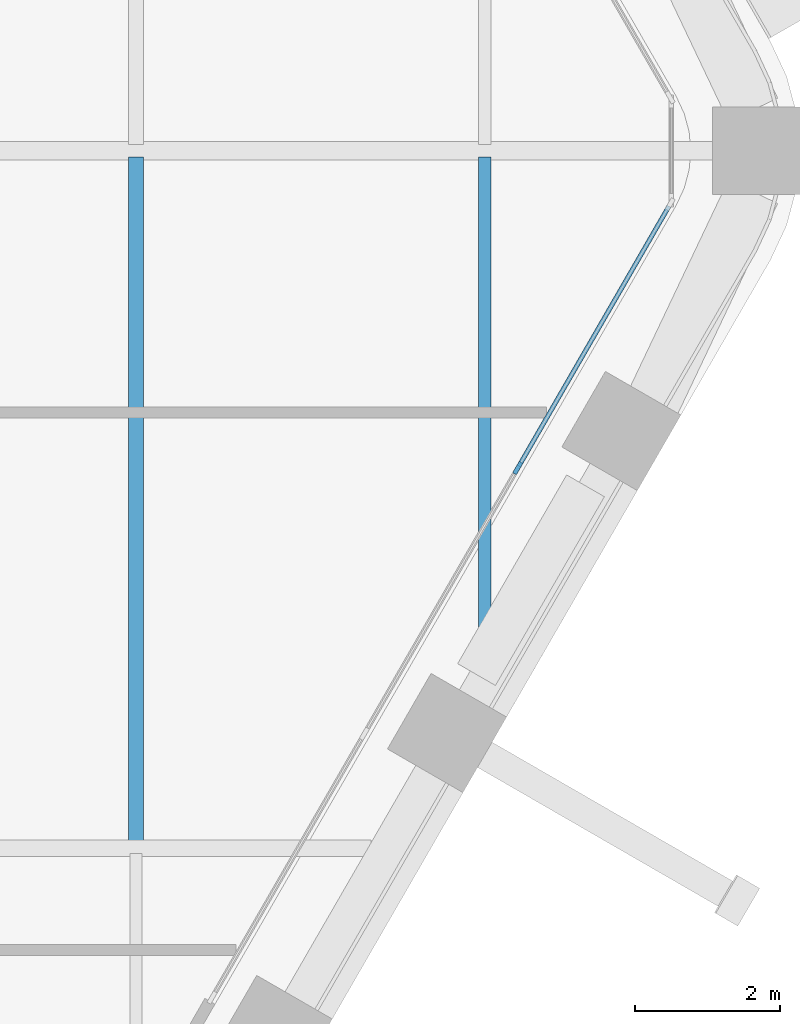
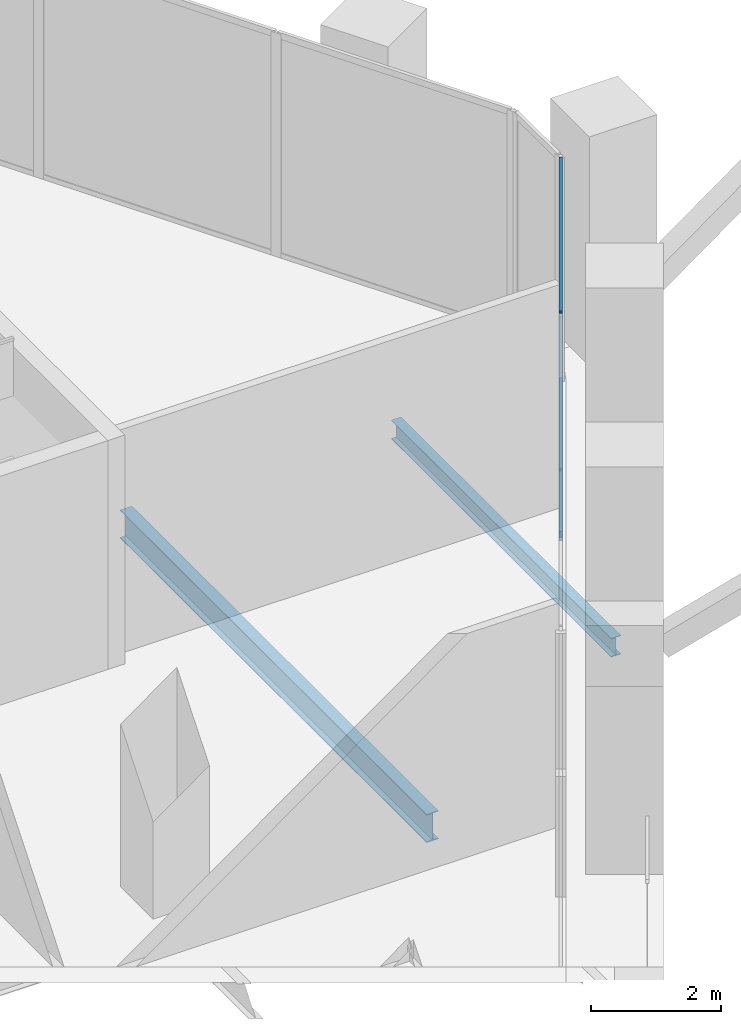
# One storey, part 6 of 24: 3 members, 2 beams, 1 element without a shape of its own.
"""IFC4 building model written with IfcOpenShell, lengths in metres."""

from ifc_helpers import new_model, si_unit, direction, frame, origin, origin_2d, place, context, subcontext, project, spatial, rectangle, i_section, extrude, material, material_profile, profile_set, type_object, element, aggregate, save


model = new_model("IFC4")

# Units and contexts
model_context = context("Model", 3, precision=1e-05, world=origin(), true_north=direction((0.0, 1.0)))
body_context = subcontext(model_context, "Body", "Model", "MODEL_VIEW")
ifc_project = project(units=[si_unit("LENGTHUNIT", "METRE"), si_unit("AREAUNIT", "SQUARE_METRE"), si_unit("VOLUMEUNIT", "CUBIC_METRE"), si_unit("PLANEANGLEUNIT", "RADIAN"), si_unit("MASSUNIT", "GRAM", prefix="KILO")], contexts=[model_context])

# Site, building, storey
site_placement = place(None, origin())
site = spatial("IfcSite", under=ifc_project, at=site_placement, CompositionType="ELEMENT")
building_placement = place(site_placement, origin())
building = spatial("IfcBuilding", under=site, at=building_placement, Name="Kolab Exchange Tower", CompositionType="ELEMENT")
storey_placement = place(building_placement, frame((0.0, 0.0, 86.89990234375)))
storey = spatial("IfcBuildingStorey", under=building, at=storey_placement, Name="L16", CompositionType="ELEMENT", Elevation=86.89990234375)

# Beams
ifc_material_1 = material(Name="Steel S355", Category="steel")
ifc_material_profile_1 = material_profile(ifc_material_1, i_section(OverallWidth=0.1708984375, OverallDepth=0.35498046875, WebThickness=0.007080078125, FlangeThickness=0.01171875, at=origin_2d()), Name="W360X51")
ifc_profile_set_1 = profile_set([ifc_material_profile_1], Name="Steel S355")
beam_type_1 = type_object("IfcBeamType", Name="FLOOR BEAM W360X51", PredefinedType="BEAM", material=ifc_profile_set_1)
beam_1_placement = place(storey_placement, frame((28.800048828125, -6.853759765625, -0.37744140625), z_axis=(0.0, 1.0, 0.0), x_axis=(-1.0, 0.0, 0.0)))
element("IfcBeam", 1, at=beam_1_placement, inside=storey, type_object=beam_type_1, Name="beam/L16/fr/050", PredefinedType="BEAM", context=body_context, shape_type="SweptSolid", body=[
    extrude(i_section(OverallWidth=0.1708984375, OverallDepth=0.35498046875, WebThickness=0.007080078125, FlangeThickness=0.01171875, at=origin_2d()), origin(), (0.0, 0.0, 1.0), 6.766845703125),
])
ifc_material_profile_2 = material_profile(ifc_material_1, i_section(OverallWidth=0.208984375, OverallDepth=0.532958984375, WebThickness=0.01025390625, FlangeThickness=0.015625, at=origin_2d()), Name="W530X92")
ifc_profile_set_2 = profile_set([ifc_material_profile_2], Name="Steel S355")
beam_type_2 = type_object("IfcBeamType", Name="FLOOR BEAM W530X92", PredefinedType="BEAM", material=ifc_profile_set_2)
beam_2_placement = place(storey_placement, frame((24.0, -9.52587890625, -0.46630859375), z_axis=(0.0, 1.0, 0.0), x_axis=(-1.0, 0.0, 0.0)))
element("IfcBeam", 2, at=beam_2_placement, inside=storey, type_object=beam_type_2, Name="beam/L16/fr/047", PredefinedType="BEAM", context=body_context, shape_type="SweptSolid", body=[
    extrude(i_section(OverallWidth=0.208984375, OverallDepth=0.532958984375, WebThickness=0.01025390625, FlangeThickness=0.015625, at=origin_2d()), origin(), (0.0, 0.0, 1.0), 9.43896484375),
])

# Curtain wall, members
ifc_material_2 = material(Name="Aluminium EN AW-6063 T6", Category="aluminium")
curtain_wall_type = type_object("IfcCurtainWallType", Name="UNITISED LOWER MID ZONE CURTAIN WALL", PredefinedType="NOTDEFINED", material=ifc_material_2)
curtain_wall_placement = place(storey_placement, origin())
curtain_wall = element("IfcCurtainWall", 3, at=curtain_wall_placement, inside=storey, type_object=curtain_wall_type, Name="cw/L16/F3-1", PredefinedType="NOTDEFINED")
ifc_material_profile_3 = material_profile(ifc_material_2, rectangle(XDim=0.06005859375, YDim=0.179931640625, at=origin_2d()), Name="RECT 60X180")
ifc_profile_set_3 = profile_set([ifc_material_profile_3], Name="Aluminium EN AW-6063 T6")
member_type_1 = type_object("IfcMemberType", Name="UNITISED LOWER MID ZONE MULLION 60 X 180", PredefinedType="MULLION", material=ifc_profile_set_3)
member_1_placement = place(storey_placement, frame((29.25439453125, -4.366943359375, 0.0), z_axis=(0.0, 0.0, 1.0), x_axis=(0.866025427826, -0.499999958358, 0.0)))
member_1 = element("IfcMember", 4, at=member_1_placement, type_object=member_type_1, Name="CW2 mullion 2", PredefinedType="MULLION", context=body_context, shape_type="SweptSolid", body=[
    extrude(rectangle(XDim=0.06005859375, YDim=0.179931640625, at=origin_2d()), origin(), (0.0, 0.0, 1.0), 4.2001953125),
])
ifc_material_profile_4 = material_profile(ifc_material_2, rectangle(XDim=0.06005859375, YDim=0.1201171875, at=origin_2d()), Name="RECT 60X120")
ifc_profile_set_4 = profile_set([ifc_material_profile_4], Name="Aluminium EN AW-6063 T6")
member_type_2 = type_object("IfcMemberType", Name="UNITISED LOWER MID ZONE TRANSOM 60 X 120", PredefinedType="USERDEFINED", material=ifc_profile_set_4)
member_2_placement = place(storey_placement, frame((31.335693359375, -0.761962890625, 0.030029296875), z_axis=(-0.500027577057, -0.866009481578, 0.0), x_axis=(0.866009481578, -0.500027577057, 0.0)))
member_2 = element("IfcMember", 5, at=member_2_placement, type_object=member_type_2, Name="CW2 transom 1.1", ObjectType="TRANSOM", PredefinedType="USERDEFINED", context=body_context, shape_type="SweptSolid", body=[
    extrude(rectangle(XDim=0.06005859375, YDim=0.1201171875, at=origin_2d()), origin(), (0.0, 0.0, 1.0), 4.132568359375),
])
member_3_placement = place(storey_placement, frame((31.335693359375, -0.761962890625, 4.170166015625), z_axis=(-0.500027577057, -0.866009481578, 0.0), x_axis=(0.866009481578, -0.500027577057, 0.0)))
member_3 = element("IfcMember", 6, at=member_3_placement, type_object=member_type_2, Name="CW2 transom 1.2", ObjectType="TRANSOM", PredefinedType="USERDEFINED", context=body_context, shape_type="SweptSolid", body=[
    extrude(rectangle(XDim=0.06005859375, YDim=0.1201171875, at=origin_2d()), origin(), (0.0, 0.0, 1.0), 4.132568359375),
])
aggregate(curtain_wall, [member_1, member_2, member_3])

save(model, "model.ifc")
